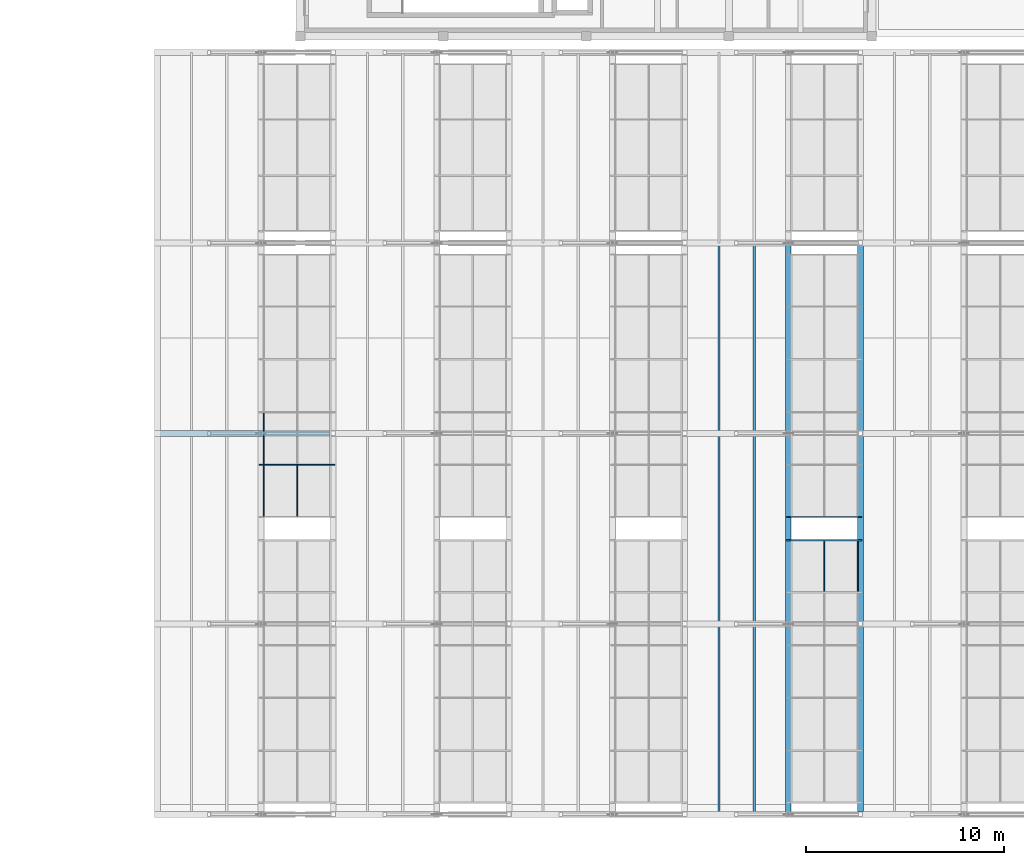
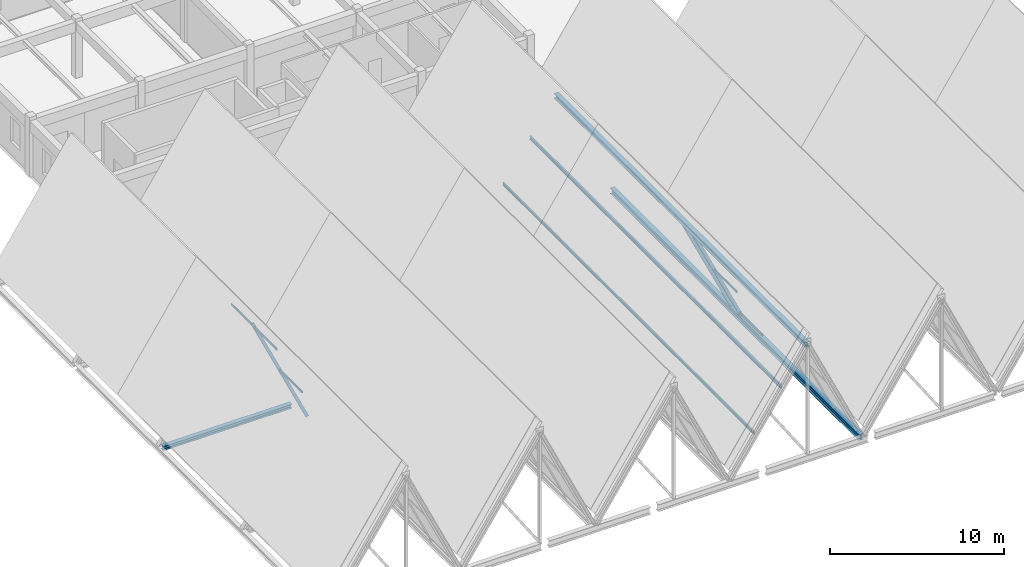
# One storey, part 46 of 99: 11 members, 2 beams, 3 elements without a shape of their own.
"""IFC4 building model written with IfcOpenShell, lengths in metres."""

from ifc_helpers import new_model, si_unit, direction, frame, origin, origin_2d, place, context, subcontext, project, spatial, hollow_rectangle, i_section, extrude, material, material_profile, profile_set, type_object, element, aggregate, save


model = new_model("IFC4")

# Units and contexts
model_context = context("Model", 3, precision=1e-05, world=origin(), true_north=direction((0.0, 1.0)))
body_context = subcontext(model_context, "Body", "Model", "MODEL_VIEW")
ifc_project = project(units=[si_unit("LENGTHUNIT", "METRE"), si_unit("AREAUNIT", "SQUARE_METRE"), si_unit("VOLUMEUNIT", "CUBIC_METRE"), si_unit("PLANEANGLEUNIT", "RADIAN"), si_unit("MASSUNIT", "GRAM", prefix="KILO")], contexts=[model_context])

# Site, building, storey
site_placement = place(None, origin())
site = spatial("IfcSite", under=ifc_project, at=site_placement, CompositionType="ELEMENT")
building_placement = place(site_placement, origin())
building = spatial("IfcBuilding", under=site, at=building_placement, Name="Bramveld Media Centre", CompositionType="ELEMENT")
storey_placement = place(building_placement, frame((0.0, 0.0, 13.800048828125)))
storey = spatial("IfcBuildingStorey", under=building, at=storey_placement, Name="L03", CompositionType="ELEMENT", Elevation=13.800048828125)

# Curtain wall, member
ifc_material_1 = material(Name="Thermally broken anodized bronze aluminium unitized curtain wall with solar-control triple glazing", Category="aluminium")
curtain_wall_type = type_object("IfcCurtainWallType", Name="CW-SAW-13300x8606", PredefinedType="NOTDEFINED", material=ifc_material_1)
curtain_wall_1_placement = place(storey_placement, origin())
curtain_wall_1 = element("IfcCurtainWall", 1, at=curtain_wall_1_placement, inside=storey, type_object=curtain_wall_type, Name="V1 sawtooth north-light clerestory B1-S2", PredefinedType="NOTDEFINED")
ifc_material_2 = material(Name="Thermally broken anodized bronze aluminium EN AW-6063 T6 curtain-wall framing", Category="aluminium")
ifc_material_profile_1 = material_profile(ifc_material_2, hollow_rectangle(XDim=0.070068359375, YDim=0.199951171875, WallThickness=0.00439453125, InnerFilletRadius=0.00439453125, OuterFilletRadius=0.009033203125, at=origin_2d()), Name="AL-MULL 70x200")
ifc_profile_set_1 = profile_set([ifc_material_profile_1], Name="Thermally broken anodized bronze aluminium EN AW-6063 T6 curtain-wall framing")
member_type_1 = type_object("IfcMemberType", Name="CW-MULL-SLP", PredefinedType="MULLION", material=ifc_profile_set_1)
member_1_placement = place(storey_placement, frame((132.857177734375, 17.610107421875, -0.02001953125), z_axis=(-0.423956992265, 0.0, 0.90568232218), x_axis=(0.0, -1.0, 0.0)))
member_1 = element("IfcMember", 2, at=member_1_placement, type_object=member_type_1, Name="CW-SA-13386 sloped mullion 2", PredefinedType="MULLION", context=body_context, shape_type="SweptSolid", body=[
    extrude(hollow_rectangle(XDim=0.070068359375, YDim=0.199951171875, WallThickness=0.00439453125, InnerFilletRadius=0.00439453125, OuterFilletRadius=0.009033203125, at=origin_2d()), origin(), (0.0, 0.0, 1.0), 8.5791015625),
])

curtain_wall_2_placement = place(storey_placement, origin())
curtain_wall_2 = element("IfcCurtainWall", 3, at=curtain_wall_2_placement, inside=storey, type_object=curtain_wall_type, Name="V1 sawtooth north-light clerestory B4-S1", PredefinedType="NOTDEFINED")
member_2_placement = place(storey_placement, frame((159.4287109375, 13.81494140625, -0.02001953125), z_axis=(-0.423980334249, 0.0, 0.905671395248), x_axis=(0.0, -1.0, 0.0)))
member_2 = element("IfcMember", 4, at=member_2_placement, type_object=member_type_1, Name="CW-SA-13386 sloped mullion 6", PredefinedType="MULLION", context=body_context, shape_type="SweptSolid", body=[
    extrude(hollow_rectangle(XDim=0.070068359375, YDim=0.199951171875, WallThickness=0.00439453125, InnerFilletRadius=0.00439453125, OuterFilletRadius=0.009033203125, at=origin_2d()), origin(), (0.0, 0.0, 1.0), 8.579345703125),
])

curtain_wall_3_placement = place(storey_placement, origin())
curtain_wall_3 = element("IfcCurtainWall", 5, at=curtain_wall_3_placement, inside=storey, type_object=curtain_wall_type, Name="V1 sawtooth north-light clerestory B4-S2", PredefinedType="NOTDEFINED")
member_3_placement = place(storey_placement, frame((159.4287109375, 14.985107421875, -0.02001953125), z_axis=(-0.423980334249, 0.0, 0.905671395248), x_axis=(0.0, -1.0, 0.0)))
member_3 = element("IfcMember", 6, at=member_3_placement, type_object=member_type_1, Name="CW-SA-13386 sloped mullion 1", PredefinedType="MULLION", context=body_context, shape_type="SweptSolid", body=[
    extrude(hollow_rectangle(XDim=0.070068359375, YDim=0.199951171875, WallThickness=0.00439453125, InnerFilletRadius=0.00439453125, OuterFilletRadius=0.009033203125, at=origin_2d()), origin(), (0.0, 0.0, 1.0), 8.579345703125),
])
aggregate(curtain_wall_3, [member_3])

# Member
ifc_material_3 = material(Name="Thermally broken anodized bronze aluminium EN AW-6063 T6 curtain-wall framing", Category="aluminium")
ifc_material_profile_2 = material_profile(ifc_material_3, hollow_rectangle(XDim=0.070068359375, YDim=0.14990234375, WallThickness=0.00390625, InnerFilletRadius=0.00390625, OuterFilletRadius=0.008056640625, at=origin_2d()), Name="AL-TRAN 70x150")
ifc_profile_set_2 = profile_set([ifc_material_profile_2], Name="Thermally broken anodized bronze aluminium EN AW-6063 T6 curtain-wall framing")
member_type_2 = type_object("IfcMemberType", Name="CW-TRAN-SLP", PredefinedType="USERDEFINED", material=ifc_profile_set_2)
member_4_placement = place(storey_placement, frame((131.03857421875, 15.02001953125, 3.864990234375), z_axis=(0.0, 1.0, 0.0), x_axis=(-1.0, 0.0, 0.0)))
member_4 = element("IfcMember", 7, at=member_4_placement, type_object=member_type_2, Name="CW-SA-13386 transom 1.2", ObjectType="TRANSOM", PredefinedType="USERDEFINED", context=body_context, shape_type="SweptSolid", body=[
    extrude(hollow_rectangle(XDim=0.070068359375, YDim=0.14990234375, WallThickness=0.00390625, InnerFilletRadius=0.00390625, OuterFilletRadius=0.008056640625, at=origin_2d()), origin(), (0.0, 0.0, 1.0), 2.554931640625),
])

member_5_placement = place(storey_placement, frame((129.365478515625, 15.02001953125, 7.439208984375), z_axis=(0.0, 1.0, 0.0), x_axis=(-1.0, 0.0, 0.0)))
member_5 = element("IfcMember", 8, at=member_5_placement, type_object=member_type_2, Name="CW-SA-13386 transom 1.3", ObjectType="TRANSOM", PredefinedType="USERDEFINED", context=body_context, shape_type="SweptSolid", body=[
    extrude(hollow_rectangle(XDim=0.070068359375, YDim=0.14990234375, WallThickness=0.00390625, InnerFilletRadius=0.00390625, OuterFilletRadius=0.008056640625, at=origin_2d()), origin(), (0.0, 0.0, 1.0), 2.554931640625),
])

member_6_placement = place(storey_placement, frame((129.365478515625, 17.64501953125, 7.439208984375), z_axis=(0.0, 1.0, 0.0), x_axis=(-1.0, 0.0, 0.0)))
member_6 = element("IfcMember", 9, at=member_6_placement, type_object=member_type_2, Name="CW-SA-13386 transom 2.3", ObjectType="TRANSOM", PredefinedType="USERDEFINED", context=body_context, shape_type="SweptSolid", body=[
    extrude(hollow_rectangle(XDim=0.070068359375, YDim=0.14990234375, WallThickness=0.00390625, InnerFilletRadius=0.00390625, OuterFilletRadius=0.008056640625, at=origin_2d()), origin(), (0.0, 0.0, 1.0), 2.590087890625),
])

aggregate(curtain_wall_1, [member_1, member_4, member_5, member_6])

member_7_placement = place(storey_placement, frame((159.283203125, 11.22509765625, 0.290771484375), z_axis=(0.0, 1.0, 0.0), x_axis=(-1.0, 0.0, 0.0)))
member_7 = element("IfcMember", 10, at=member_7_placement, type_object=member_type_2, Name="CW-SA-13386 transom 5.1", ObjectType="TRANSOM", PredefinedType="USERDEFINED", context=body_context, shape_type="SweptSolid", body=[
    extrude(hollow_rectangle(XDim=0.070068359375, YDim=0.14990234375, WallThickness=0.00390625, InnerFilletRadius=0.00390625, OuterFilletRadius=0.008056640625, at=origin_2d()), origin(), (0.0, 0.0, 1.0), 2.554931640625),
])

member_8_placement = place(storey_placement, frame((157.60986328125, 11.22509765625, 3.864990234375), z_axis=(0.0, 1.0, 0.0), x_axis=(-1.0, 0.0, 0.0)))
member_8 = element("IfcMember", 11, at=member_8_placement, type_object=member_type_2, Name="CW-SA-13386 transom 5.2", ObjectType="TRANSOM", PredefinedType="USERDEFINED", context=body_context, shape_type="SweptSolid", body=[
    extrude(hollow_rectangle(XDim=0.070068359375, YDim=0.14990234375, WallThickness=0.00390625, InnerFilletRadius=0.00390625, OuterFilletRadius=0.008056640625, at=origin_2d()), origin(), (0.0, 0.0, 1.0), 2.554931640625),
])

aggregate(curtain_wall_2, [member_2, member_7, member_8])

# Members
ifc_material_4 = material(Name="Steel S355J2", Category="steel")
ifc_material_profile_3 = material_profile(ifc_material_4, i_section(OverallWidth=0.300048828125, OverallDepth=0.2900390625, WebThickness=0.008544921875, FlangeThickness=0.013916015625, FilletRadius=0.027099609375, at=origin_2d()), Name="HEA 300")
ifc_profile_set_3 = profile_set([ifc_material_profile_3], Name="Steel S355J2")
member_type_3 = type_object("IfcMemberType", Name="MEM-CHORD-HEA300", PredefinedType="CHORD", material=ifc_profile_set_3)
member_9_placement = place(storey_placement, frame((124.159912109375, 19.199951171875, -0.14501953125), z_axis=(1.0, 0.0, 0.0), x_axis=(0.0, 1.0, 0.0)))
element("IfcMember", 12, at=member_9_placement, inside=storey, type_object=member_type_3, Name="TRUSS-V1-B01-F3 bottom tie chord", PredefinedType="CHORD", context=body_context, shape_type="SweptSolid", body=[
    extrude(i_section(OverallWidth=0.300048828125, OverallDepth=0.2900390625, WebThickness=0.008544921875, FlangeThickness=0.013916015625, FilletRadius=0.027099609375, at=origin_2d()), origin(), (0.0, 0.0, 1.0), 8.537109375),
])
ifc_material_5 = material(Name="Steel S355J2", Category="steel")
ifc_material_profile_4 = material_profile(ifc_material_5, i_section(OverallWidth=0.10009765625, OverallDepth=0.199951171875, WebThickness=0.005615234375, FlangeThickness=0.008544921875, FilletRadius=0.011962890625, at=origin_2d()), Name="IPE 200")
ifc_profile_set_4 = profile_set([ifc_material_profile_4], Name="Steel S355J2")
member_type_4 = type_object("IfcMemberType", Name="MEM-PURLIN-IPE200", PredefinedType="PURLIN", material=ifc_profile_set_4)
member_10_placement = place(storey_placement, frame((152.2939453125, 0.0, 2.666259765625), z_axis=(0.0, 1.0, 0.0), x_axis=(-1.0, 0.0, 0.0)))
element("IfcMember", 13, at=member_10_placement, inside=storey, type_object=member_type_4, Name="V1 roof purlin", PredefinedType="PURLIN", context=body_context, shape_type="SweptSolid", body=[
    extrude(i_section(OverallWidth=0.10009765625, OverallDepth=0.199951171875, WebThickness=0.005615234375, FlangeThickness=0.008544921875, FilletRadius=0.011962890625, at=origin_2d()), origin(), (0.0, 0.0, 1.0), 28.800048828125),
])
ifc_material_6 = material(Name="Steel S355J2", Category="steel")
ifc_material_profile_5 = material_profile(ifc_material_6, i_section(OverallWidth=0.1201171875, OverallDepth=0.239990234375, WebThickness=0.006103515625, FlangeThickness=0.009765625, FilletRadius=0.014892578125, at=origin_2d()), Name="IPE 240")
ifc_profile_set_5 = profile_set([ifc_material_profile_5], Name="Steel S355J2")
member_type_5 = type_object("IfcMemberType", Name="MEM-PURLIN-IPE240", PredefinedType="PURLIN", material=ifc_profile_set_5)
member_11_placement = place(storey_placement, frame((154.068603515625, 0.0, 5.283447265625), z_axis=(0.0, 1.0, 0.0), x_axis=(-1.0, 0.0, 0.0)))
element("IfcMember", 14, at=member_11_placement, inside=storey, type_object=member_type_5, Name="V1 roof purlin", PredefinedType="PURLIN", context=body_context, shape_type="SweptSolid", body=[
    extrude(i_section(OverallWidth=0.1201171875, OverallDepth=0.239990234375, WebThickness=0.006103515625, FlangeThickness=0.009765625, FilletRadius=0.014892578125, at=origin_2d()), origin(), (0.0, 0.0, 1.0), 28.800048828125),
])

# Beams
ifc_material_7 = material(Name="Steel S355J2", Category="steel")
ifc_material_profile_6 = material_profile(ifc_material_7, i_section(OverallWidth=0.300048828125, OverallDepth=0.330078125, WebThickness=0.009521484375, FlangeThickness=0.0166015625, FilletRadius=0.027099609375, at=origin_2d()), Name="HEA 340")
ifc_profile_set_6 = profile_set([ifc_material_profile_6], Name="Steel S355J2")
beam_type_1 = type_object("IfcBeamType", Name="SBM-INT-HEA-340", PredefinedType="BEAM", material=ifc_profile_set_6)
beam_1_placement = place(storey_placement, frame((155.791259765625, 0.0, 7.635009765625), z_axis=(0.0, 1.0, 0.0), x_axis=(-1.0, 0.0, 0.0)))
element("IfcBeam", 15, at=beam_1_placement, inside=storey, type_object=beam_type_1, Name="V1 ridge spine beam", PredefinedType="BEAM", context=body_context, shape_type="SweptSolid", body=[
    extrude(i_section(OverallWidth=0.300048828125, OverallDepth=0.330078125, WebThickness=0.009521484375, FlangeThickness=0.0166015625, FilletRadius=0.027099609375, at=origin_2d()), origin(), (0.0, 0.0, 1.0), 28.800048828125),
])
ifc_material_8 = material(Name="Steel S355J2", Category="steel")
ifc_material_profile_7 = material_profile(ifc_material_8, i_section(OverallWidth=0.300048828125, OverallDepth=0.39990234375, WebThickness=0.013427734375, FlangeThickness=0.02392578125, FilletRadius=0.027099609375, at=origin_2d()), Name="HEB 400")
ifc_profile_set_7 = profile_set([ifc_material_profile_7], Name="Steel S355J2")
beam_type_2 = type_object("IfcBeamType", Name="SBM-INT-HEB-400", PredefinedType="BEAM", material=ifc_profile_set_7)
beam_2_placement = place(storey_placement, frame((159.4287109375, 0.139892578125, -0.199951171875), z_axis=(0.0, 1.0, 0.0), x_axis=(-1.0, 0.0, 0.0)))
element("IfcBeam", 16, at=beam_2_placement, inside=storey, type_object=beam_type_2, Name="V1 valley spine girder 4", PredefinedType="BEAM", context=body_context, shape_type="SweptSolid", body=[
    extrude(i_section(OverallWidth=0.300048828125, OverallDepth=0.39990234375, WebThickness=0.013427734375, FlangeThickness=0.02392578125, FilletRadius=0.027099609375, at=origin_2d()), origin(), (0.0, 0.0, 1.0), 28.52001953125),
])

save(model, "model.ifc")
